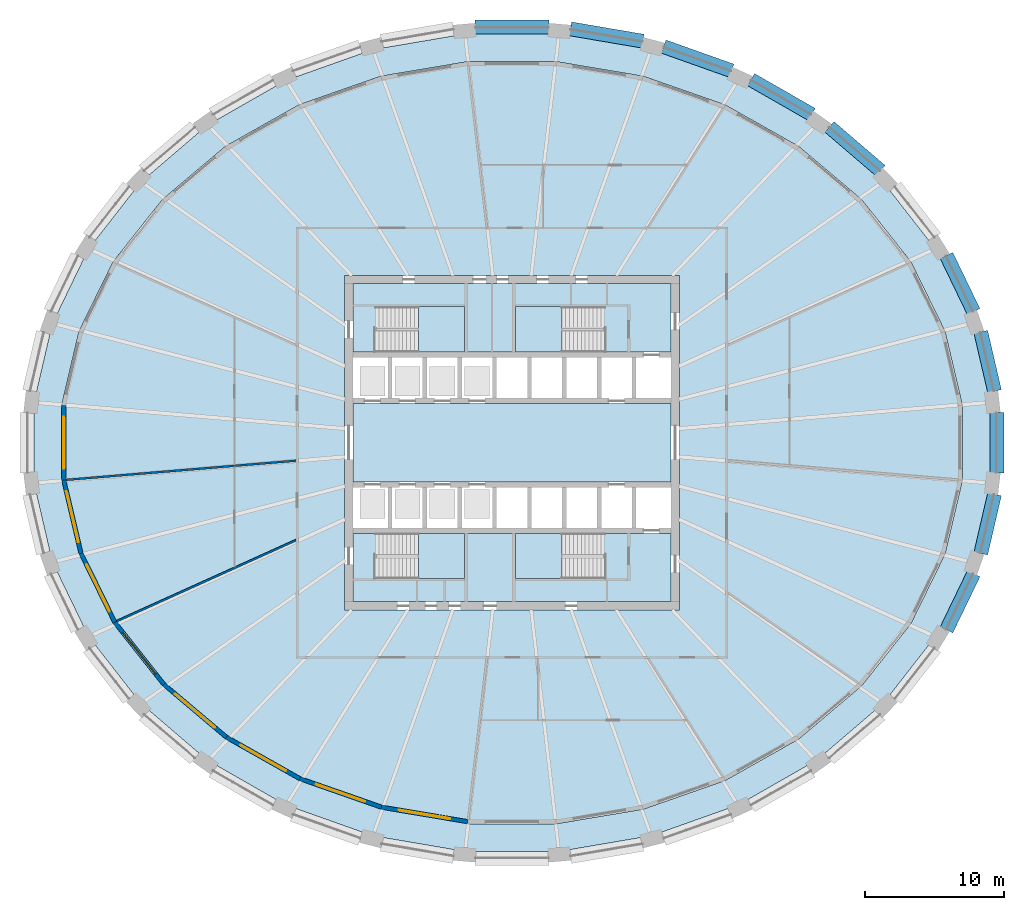
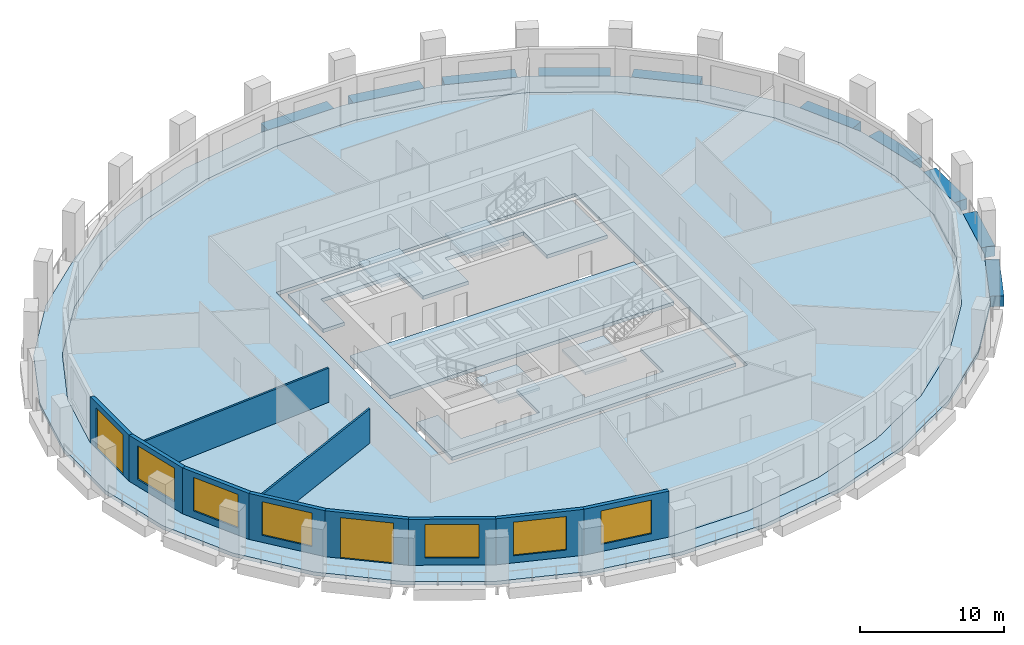
# One storey, part 2 of 10: 10 beams, 10 walls, 9 slabs, 6 windows, 2 doors, 8 openings, 4 elements without a shape of their own.
"""IFC4 building model written with IfcOpenShell, lengths in metres."""

from ifc_helpers import new_model, si_unit, direction, frame, frame_2d, origin, origin_2d, place, context, subcontext, project, spatial, polyline, rectangle, outline, extrude, material, layer, layer_set, material_profile, profile_set, type_object, element, fill, aggregate, save


model = new_model("IFC4")

# Units and contexts
model_context = context("Model", 3, precision=1e-05, world=origin(), true_north=direction((0.0, 1.0)))
body_context = subcontext(model_context, "Body", "Model", "MODEL_VIEW")
ifc_project = project(units=[si_unit("LENGTHUNIT", "METRE"), si_unit("AREAUNIT", "SQUARE_METRE"), si_unit("VOLUMEUNIT", "CUBIC_METRE"), si_unit("PLANEANGLEUNIT", "RADIAN"), si_unit("MASSUNIT", "GRAM", prefix="KILO")], contexts=[model_context])

# Site, building, storey
site_placement = place(None, origin())
site = spatial("IfcSite", under=ifc_project, at=site_placement, CompositionType="ELEMENT")
building_placement = place(site_placement, origin())
building = spatial("IfcBuilding", under=site, at=building_placement, Name="Halqa Exchange Tower", CompositionType="ELEMENT")
storey_placement = place(building_placement, frame((0.0, 0.0, 125.5)))
storey = spatial("IfcBuildingStorey", under=building, at=storey_placement, Name="L28", CompositionType="ELEMENT", Elevation=125.5)

# Beams
ifc_material_1 = material(Name="Concrete C60/75", Category="concrete")
ifc_material_profile = material_profile(ifc_material_1, rectangle(XDim=1.0, YDim=0.89990234375, at=origin_2d()), Name="1000 x 900")
ifc_profile_set = profile_set([ifc_material_profile], Name="Concrete C60/75")
beam_type = type_object("IfcBeamType", Name="RC spandrel beam 1000 x 900 C60/75", PredefinedType="SPANDREL", material=ifc_profile_set)
beam_1_placement = place(storey_placement, frame((34.603515625, 3.693115234375, -0.449951171875), z_axis=(-0.226066118641, 0.974111959686, 0.0), x_axis=(-0.974111959686, -0.226066118641, 0.0)))
element("IfcBeam", 1, at=beam_1_placement, inside=storey, type_object=beam_type, Name="Spandrel 1", PredefinedType="SPANDREL", context=body_context, shape_type="SweptSolid", body=[
    extrude(rectangle(XDim=1.0, YDim=0.89990234375, at=origin_2d()), origin(), (0.0, 0.0, 1.0), 4.358642578125),
])
beam_2_placement = place(storey_placement, frame((33.104248046875, 9.3955078125, -0.449951171875), z_axis=(-0.435117021664, 0.900373909805, 0.0), x_axis=(-0.900373909805, -0.435117021664, 0.0)))
element("IfcBeam", 2, at=beam_2_placement, inside=storey, type_object=beam_type, Name="Spandrel 2", PredefinedType="SPANDREL", context=body_context, shape_type="SweptSolid", body=[
    extrude(rectangle(XDim=1.0, YDim=0.89990234375, at=origin_2d()), origin(), (0.0, 0.0, 1.0), 4.471435546875),
])
beam_3_placement = place(storey_placement, frame((26.426513671875, 19.507568359375, -0.449951171875), z_axis=(-0.759285146525, 0.650758070459, 0.0), x_axis=(-0.650758070459, -0.759285146525, 0.0)))
element("IfcBeam", 3, at=beam_3_placement, inside=storey, type_object=beam_type, Name="Spandrel 4", PredefinedType="SPANDREL", context=body_context, shape_type="SweptSolid", body=[
    extrude(rectangle(XDim=1.0, YDim=0.89990234375, at=origin_2d()), origin(), (0.0, 0.0, 1.0), 4.829833984375),
])
beam_4_placement = place(storey_placement, frame((21.498291015625, 23.540283203125, -0.449951171875), z_axis=(-0.867751350461, 0.496998585283, 0.0), x_axis=(-0.496998585283, -0.867751350461, 0.0)))
element("IfcBeam", 4, at=beam_4_placement, inside=storey, type_object=beam_type, Name="Spandrel 5", PredefinedType="SPANDREL", context=body_context, shape_type="SweptSolid", body=[
    extrude(rectangle(XDim=1.0, YDim=0.89990234375, at=origin_2d()), origin(), (0.0, 0.0, 1.0), 5.014404296875),
])
beam_5_placement = place(storey_placement, frame((15.744140625, 26.677001953125, -0.449951171875), z_axis=(-0.942360462003, 0.334599401754, 0.0), x_axis=(-0.334599401754, -0.942360462003, 0.0)))
element("IfcBeam", 5, at=beam_5_placement, inside=storey, type_object=beam_type, Name="Spandrel 6", PredefinedType="SPANDREL", context=body_context, shape_type="SweptSolid", body=[
    extrude(rectangle(XDim=1.0, YDim=0.89990234375, at=origin_2d()), origin(), (0.0, 0.0, 1.0), 5.166015625),
])
beam_6_placement = place(storey_placement, frame((9.38037109375, 28.79541015625, -0.449951171875), z_axis=(-0.985775606533, 0.168066812797, 0.0), x_axis=(-0.168066812797, -0.985775606533, 0.0)))
element("IfcBeam", 6, at=beam_6_placement, inside=storey, type_object=beam_type, Name="Spandrel 7", PredefinedType="SPANDREL", context=body_context, shape_type="SweptSolid", body=[
    extrude(rectangle(XDim=1.0, YDim=0.89990234375, at=origin_2d()), origin(), (0.0, 0.0, 1.0), 5.265869140625),
])
beam_7_placement = place(storey_placement, frame((2.650634765625, 29.810791015625, -0.449951171875), z_axis=(-1.0, 0.0, 0.0), x_axis=(0.0, -1.0, 0.0)))
element("IfcBeam", 7, at=beam_7_placement, inside=storey, type_object=beam_type, Name="Spandrel 8", PredefinedType="SPANDREL", context=body_context, shape_type="SweptSolid", body=[
    extrude(rectangle(XDim=1.0, YDim=0.89990234375, at=origin_2d()), origin(), (0.0, 0.0, 1.0), 5.30126953125),
])
beam_8_placement = place(storey_placement, frame((31.15869140625, -13.42138671875, -0.449951171875), z_axis=(0.435117021664, 0.900373909805, 0.0), x_axis=(-0.900373909805, 0.435117021664, 0.0)))
element("IfcBeam", 8, at=beam_8_placement, inside=storey, type_object=beam_type, Name="Spandrel 30", PredefinedType="SPANDREL", context=body_context, shape_type="SweptSolid", body=[
    extrude(rectangle(XDim=1.0, YDim=0.89990234375, at=origin_2d()), origin(), (0.0, 0.0, 1.0), 4.471435546875),
])
beam_9_placement = place(storey_placement, frame((33.6181640625, -7.93896484375, -0.449951171875), z_axis=(0.226066118641, 0.974111959686, 0.0), x_axis=(-0.974111959686, 0.226066118641, 0.0)))
element("IfcBeam", 9, at=beam_9_placement, inside=storey, type_object=beam_type, Name="Spandrel 31", PredefinedType="SPANDREL", context=body_context, shape_type="SweptSolid", body=[
    extrude(rectangle(XDim=1.0, YDim=0.89990234375, at=origin_2d()), origin(), (0.0, 0.0, 1.0), 4.358642578125),
])
beam_10_placement = place(storey_placement, frame((34.779052734375, -2.15869140625, -0.449951171875), z_axis=(0.0, 1.0, 0.0), x_axis=(-1.0, 0.0, 0.0)))
element("IfcBeam", 10, at=beam_10_placement, inside=storey, type_object=beam_type, Name="Spandrel 32", PredefinedType="SPANDREL", context=body_context, shape_type="SweptSolid", body=[
    extrude(rectangle(XDim=1.0, YDim=0.89990234375, at=origin_2d()), origin(), (0.0, 0.0, 1.0), 4.3173828125),
])

# Slabs
ifc_layer_1 = layer(ifc_material_1, 0.300048828125)
ifc_layer_set_1 = layer_set([ifc_layer_1], Name="Concrete C60/75")
slab_type_1 = type_object("IfcSlabType", Name="Core floor slab 300", PredefinedType="FLOOR", material=ifc_layer_set_1)
slab_1_placement = place(storey_placement, frame((0.0, 0.0, -0.300048828125)))
element("IfcSlab", 11, at=slab_1_placement, inside=storey, type_object=slab_type_1, Name="Core floor slab", PredefinedType="FLOOR", context=body_context, shape_type="SweptSolid", body=[
    extrude(outline(polyline([(-11.39990234375, 2.800048828125), (11.39990234375, 2.800048828125), (11.39990234375, -2.800048828125), (-11.39990234375, -2.800048828125), (-11.39990234375, 2.800048828125)])), origin(), (0.0, 0.0, 1.0), 0.300048828125),
])
slab_2_placement = place(storey_placement, frame((0.0, 0.0, -0.300048828125)))
element("IfcSlab", 12, at=slab_2_placement, inside=storey, type_object=slab_type_1, Name="Core floor slab", PredefinedType="FLOOR", context=body_context, shape_type="SweptSolid", body=[
    extrude(outline(polyline([(-11.39990234375, 11.39990234375), (11.39990234375, 11.39990234375), (11.39990234375, 6.5), (6.550048828125, 6.5), (6.550048828125, 9.75), (0.25, 9.75), (0.25, 6.5), (-3.39990234375, 6.5), (-3.39990234375, 9.75), (-9.699951171875, 9.75), (-9.699951171875, 6.5), (-11.39990234375, 6.5), (-11.39990234375, 11.39990234375)])), origin(), (0.0, 0.0, 1.0), 0.300048828125),
])
slab_3_placement = place(storey_placement, frame((0.0, 0.0, -0.300048828125)))
element("IfcSlab", 13, at=slab_3_placement, inside=storey, type_object=slab_type_1, Name="Core floor slab", PredefinedType="FLOOR", context=body_context, shape_type="SweptSolid", body=[
    extrude(outline(polyline([(-9.699951171875, -9.75), (-3.39990234375, -9.75), (-3.39990234375, -6.5), (0.25, -6.5), (0.25, -9.75), (6.550048828125, -9.75), (6.550048828125, -6.5), (11.39990234375, -6.5), (11.39990234375, -11.39990234375), (-11.39990234375, -11.39990234375), (-11.39990234375, -6.5), (-9.699951171875, -6.5), (-9.699951171875, -9.75)])), origin(), (0.0, 0.0, 1.0), 0.300048828125),
])
ifc_material_2 = material(Name="Concrete C40/50", Category="concrete")
ifc_layer_2 = layer(ifc_material_2, 0.300048828125)
ifc_layer_set_2 = layer_set([ifc_layer_2], Name="Concrete C40/50")
slab_type_2 = type_object("IfcSlabType", Name="RC floor slab 300", PredefinedType="FLOOR", material=ifc_layer_set_2)
slab_4_placement = place(storey_placement, frame((0.0, 0.0, -0.300048828125)))
element("IfcSlab", 14, at=slab_4_placement, inside=storey, type_object=slab_type_2, Name="Floor slab", PredefinedType="FLOOR", context=body_context, shape_type="SweptSolid", body=[
    extrude(outline(polyline([(32.29248046875, 2.6962890625), (31.04736328125, 7.984375), (28.606689453125, 12.961669921875), (25.06689453125, 17.4365234375), (20.566162109375, 21.23828125), (15.2783203125, 24.222900390625), (9.40673828125, 26.277099609375), (3.176025390625, 27.32421875), (-3.176025390625, 27.32421875), (-9.40673828125, 26.277099609375), (-15.2783203125, 24.222900390625), (-20.566162109375, 21.23828125), (-25.06689453125, 17.4365234375), (-28.606689453125, 12.961669921875), (-31.04736328125, 7.984375), (-32.29248046875, 2.6962890625), (-32.29248046875, -2.6962890625), (-31.04736328125, -7.984375), (-28.606689453125, -12.961669921875), (-25.06689453125, -17.4365234375), (-20.566162109375, -21.23828125), (-15.2783203125, -24.222900390625), (-9.40673828125, -26.277099609375), (-3.176025390625, -27.32421875), (3.176025390625, -27.32421875), (9.40673828125, -26.277099609375), (15.2783203125, -24.222900390625), (20.566162109375, -21.23828125), (25.06689453125, -17.4365234375), (28.606689453125, -12.961669921875), (31.04736328125, -7.984375), (32.29248046875, -2.6962890625), (32.29248046875, 2.6962890625)]), holes=[polyline([(-12.0, -12.0), (12.0, -12.0), (12.0, 12.0), (-12.0, 12.0), (-12.0, -12.0)])]), origin(), (0.0, 0.0, 1.0), 0.300048828125),
])
ifc_layer_3 = layer(ifc_material_2, 0.300048828125)
ifc_layer_set_3 = layer_set([ifc_layer_3], Name="Concrete C40/50")
slab_type_3 = type_object("IfcSlabType", Name="RC loggia slab 300", PredefinedType="FLOOR", material=ifc_layer_set_3)
slab_5_placement = place(storey_placement, frame((0.0, 0.0, -0.300048828125)))
element("IfcSlab", 15, at=slab_5_placement, inside=storey, type_object=slab_type_3, Name="Loggia slab", PredefinedType="FLOOR", context=body_context, shape_type="SweptSolid", body=[
    extrude(outline(polyline([(34.279052734375, 2.87890625), (34.279052734375, -2.87890625), (32.968017578125, -8.528076171875), (30.393798828125, -13.855224609375), (26.651123046875, -18.65625), (21.880859375, -22.7451171875), (16.264404296875, -25.961669921875), (10.01806640625, -28.179443359375), (3.383056640625, -29.310791015625), (-3.383056640625, -29.310791015625), (-10.01806640625, -28.179443359375), (-16.264404296875, -25.961669921875), (-21.880859375, -22.7451171875), (-26.651123046875, -18.65625), (-30.393798828125, -13.855224609375), (-32.968017578125, -8.528076171875), (-34.279052734375, -2.87890625), (-34.279052734375, 2.87890625), (-32.968017578125, 8.528076171875), (-30.393798828125, 13.855224609375), (-26.651123046875, 18.65625), (-21.880859375, 22.7451171875), (-16.264404296875, 25.961669921875), (-10.01806640625, 28.179443359375), (-3.383056640625, 29.310791015625), (3.383056640625, 29.310791015625), (10.01806640625, 28.179443359375), (16.264404296875, 25.961669921875), (21.880859375, 22.7451171875), (26.651123046875, 18.65625), (30.393798828125, 13.855224609375), (32.968017578125, 8.528076171875), (34.279052734375, 2.87890625)]), holes=[polyline([(32.29248046875, 2.6962890625), (31.04736328125, 7.984375), (28.606689453125, 12.961669921875), (25.06689453125, 17.4365234375), (20.566162109375, 21.23828125), (15.2783203125, 24.222900390625), (9.40673828125, 26.277099609375), (3.176025390625, 27.32421875), (-3.176025390625, 27.32421875), (-9.40673828125, 26.277099609375), (-15.2783203125, 24.222900390625), (-20.566162109375, 21.23828125), (-25.06689453125, 17.4365234375), (-28.606689453125, 12.961669921875), (-31.04736328125, 7.984375), (-32.29248046875, 2.6962890625), (-32.29248046875, -2.6962890625), (-31.04736328125, -7.984375), (-28.606689453125, -12.961669921875), (-25.06689453125, -17.4365234375), (-20.566162109375, -21.23828125), (-15.2783203125, -24.222900390625), (-9.40673828125, -26.277099609375), (-3.176025390625, -27.32421875), (3.176025390625, -27.32421875), (9.40673828125, -26.277099609375), (15.2783203125, -24.222900390625), (20.566162109375, -21.23828125), (25.06689453125, -17.4365234375), (28.606689453125, -12.961669921875), (31.04736328125, -7.984375), (32.29248046875, -2.6962890625), (32.29248046875, 2.6962890625)])]), origin(), (0.0, 0.0, 1.0), 0.300048828125),
])

# Stair, slab
ifc_material_3 = material(Name="Concrete C30/37", Category="concrete")
stair_type = type_object("IfcStairType", Name="Exit stair 1500 wide", PredefinedType="HALF_TURN_STAIR", material=ifc_material_3)
stair_1_placement = place(storey_placement, origin())
stair_1 = element("IfcStair", 16, at=stair_1_placement, inside=storey, type_object=stair_type, Name="Exit stair ST1", PredefinedType="HALF_TURN_STAIR")
ifc_layer_4 = layer(ifc_material_3, 0.199951171875)
ifc_layer_set_4 = layer_set([ifc_layer_4], Name="Concrete C30/37")
slab_type_4 = type_object("IfcSlabType", Name="Stair landing 200 slab", PredefinedType="LANDING", material=ifc_layer_set_4)
slab_6_placement = place(storey_placement, frame((0.0, 0.0, 1.89990234375)))
slab_6 = element("IfcSlab", 17, at=slab_6_placement, type_object=slab_type_4, Name="ST1 landing 1", PredefinedType="LANDING", context=body_context, shape_type="SweptSolid", body=[
    extrude(outline(polyline([(-6.719970703125, 6.5), (-3.39990234375, 6.5), (-3.39990234375, 9.75), (-6.719970703125, 9.75), (-6.719970703125, 6.5)])), origin(), (0.0, 0.0, 1.0), 0.2001953125),
])
aggregate(stair_1, [slab_6])

stair_2_placement = place(storey_placement, origin())
stair_2 = element("IfcStair", 18, at=stair_2_placement, inside=storey, type_object=stair_type, Name="Exit stair ST2", PredefinedType="HALF_TURN_STAIR")
slab_7_placement = place(storey_placement, frame((0.0, 0.0, 1.89990234375)))
slab_7 = element("IfcSlab", 19, at=slab_7_placement, type_object=slab_type_4, Name="ST2 landing 1", PredefinedType="LANDING", context=body_context, shape_type="SweptSolid", body=[
    extrude(outline(polyline([(0.25, 6.5), (3.570068359375, 6.5), (3.570068359375, 9.75), (0.25, 9.75), (0.25, 6.5)])), origin(), (0.0, 0.0, 1.0), 0.2001953125),
])
aggregate(stair_2, [slab_7])

stair_3_placement = place(storey_placement, origin())
stair_3 = element("IfcStair", 20, at=stair_3_placement, inside=storey, type_object=stair_type, Name="Exit stair ST3", PredefinedType="HALF_TURN_STAIR")
slab_8_placement = place(storey_placement, frame((0.0, 0.0, 1.89990234375)))
slab_8 = element("IfcSlab", 21, at=slab_8_placement, type_object=slab_type_4, Name="ST3 landing 1", PredefinedType="LANDING", context=body_context, shape_type="SweptSolid", body=[
    extrude(outline(polyline([(-6.719970703125, -9.75), (-3.39990234375, -9.75), (-3.39990234375, -6.5), (-6.719970703125, -6.5), (-6.719970703125, -9.75)])), origin(), (0.0, 0.0, 1.0), 0.2001953125),
])
aggregate(stair_3, [slab_8])

stair_4_placement = place(storey_placement, origin())
stair_4 = element("IfcStair", 22, at=stair_4_placement, inside=storey, type_object=stair_type, Name="Exit stair ST4", PredefinedType="HALF_TURN_STAIR")
slab_9_placement = place(storey_placement, frame((0.0, 0.0, 1.89990234375)))
slab_9 = element("IfcSlab", 23, at=slab_9_placement, type_object=slab_type_4, Name="ST4 landing 1", PredefinedType="LANDING", context=body_context, shape_type="SweptSolid", body=[
    extrude(outline(polyline([(0.25, -9.75), (3.570068359375, -9.75), (3.570068359375, -6.5), (0.25, -6.5), (0.25, -9.75)])), origin(), (0.0, 0.0, 1.0), 0.2001953125),
])
aggregate(stair_4, [slab_9])

# Walls
ifc_material_4 = material(Name="Fire-rated gypsum board")
ifc_layer_5 = layer(ifc_material_4, 0.14990234375)
ifc_layer_set_5 = layer_set([ifc_layer_5], Name="Fire-rated gypsum board")
wall_type_1 = type_object("IfcWallType", Name="Fire partition EI 60 150", PredefinedType="PARTITIONING", material=ifc_layer_set_5)
wall_1_placement = place(storey_placement, frame((-31.986328125, -2.664794921875, 0.0), z_axis=(0.0, 0.0, 1.0), x_axis=(0.996533353756, 0.083194199634, 0.0)))
element("IfcWall", 24, at=wall_1_placement, inside=storey, type_object=wall_type_1, Name="L28-PWL-001", PredefinedType="PARTITIONING", context=body_context, shape_type="SweptSolid", body=[
    extrude(outline(polyline([(0.005615234375, -0.074951171875), (1.7294921875, -0.074951171875), (3.453125, -0.074951171875), (5.177001953125, -0.074951171875), (6.900634765625, -0.074951171875), (8.62451171875, -0.074951171875), (10.34814453125, -0.074951171875), (12.072021484375, -0.074951171875), (12.072021484375, -0.07470703125), (12.073974609375, -0.074951171875), (13.570068359375, -0.074951171875), (15.06640625, -0.074951171875), (16.5625, -0.074951171875), (16.574462890625, 0.068359375), (16.574462890625, 0.074951171875), (15.111328125, 0.074951171875), (13.64794921875, 0.074951171875), (12.184814453125, 0.074951171875), (12.184814453125, 0.073974609375), (12.171630859375, 0.074951171875), (10.432861328125, 0.074951171875), (8.694091796875, 0.074951171875), (6.955078125, 0.074951171875), (5.21630859375, 0.074951171875), (3.4775390625, 0.074951171875), (1.73876953125, 0.074951171875), (0.0, 0.074951171875), (0.0, -0.036376953125), (0.005615234375, -0.074951171875)])), origin(), (0.0, 0.0, 1.0), 2.909912109375),
])
wall_2_placement = place(storey_placement, frame((-28.352294921875, -12.804443359375, 0.0), z_axis=(0.0, 0.0, 1.0), x_axis=(0.911239169411, 0.41187762276, 0.0)))
element("IfcWall", 25, at=wall_2_placement, inside=storey, type_object=wall_type_1, Name="L28-PWL-003", PredefinedType="PARTITIONING", context=body_context, shape_type="SweptSolid", body=[
    extrude(outline(polyline([(0.021728515625, -0.074951171875), (1.78125, -0.074951171875), (3.540771484375, -0.074951171875), (5.30029296875, -0.074951171875), (7.059814453125, -0.074951171875), (8.8193359375, -0.074951171875), (10.578857421875, -0.074951171875), (12.338134765625, -0.074951171875), (14.09765625, -0.074951171875), (14.16552734375, 0.074951171875), (12.565185546875, 0.074951171875), (10.96484375, 0.074951171875), (9.3642578125, 0.074951171875), (9.364013671875, 0.07421875), (9.3623046875, 0.074951171875), (7.489990234375, 0.074951171875), (5.617431640625, 0.074951171875), (3.744873046875, 0.074951171875), (1.87255859375, 0.074951171875), (0.0, 0.074951171875), (0.0, 0.07421875), (0.002197265625, 0.003173828125), (0.021728515625, -0.074951171875)])), origin(), (0.0, 0.0, 1.0), 2.909912109375),
])

# Wall, opening, door
ifc_material_5 = material(Name="Limestone cladding", Category="masonry")
ifc_layer_6 = layer(ifc_material_5, 0.0400390625)
ifc_material_6 = material(Name="Ventilated cavity")
ifc_layer_7 = layer(ifc_material_6, 0.030029296875, ventilated=True)
ifc_material_7 = material(Name="Mineral wool insulation")
ifc_layer_8 = layer(ifc_material_7, 0.10009765625)
ifc_layer_9 = layer(ifc_material_3, 0.10009765625)
ifc_material_8 = material(Name="Internal plaster")
ifc_layer_10 = layer(ifc_material_8, 0.030029296875)
ifc_layer_set_6 = layer_set([ifc_layer_6, ifc_layer_7, ifc_layer_8, ifc_layer_9, ifc_layer_10], Name="Stone-faced insulated wall 300")
wall_type_2 = type_object("IfcWallType", Name="Stone-faced insulated wall 300", PredefinedType="STANDARD", material=ifc_layer_set_6)
wall_3_placement = place(storey_placement, frame((-32.142578125, 2.678955078125, 0.0), z_axis=(0.0, 0.0, 1.0), x_axis=(0.0, -1.0, 0.0)))
wall_3 = element("IfcWall", 26, at=wall_3_placement, inside=storey, type_object=wall_type_2, Name="Glass-line wall 16", PredefinedType="STANDARD", context=body_context, shape_type="SweptSolid", body=[
    extrude(outline(polyline([(-0.017333984375, -0.14990234375), (5.375244140625, -0.14990234375), (5.340576171875, 0.14990234375), (0.017333984375, 0.14990234375), (-0.017333984375, -0.14990234375)])), origin(), (0.0, 0.0, 1.0), 3.89990234375),
])
opening_1_placement = place(wall_3_placement, frame((0.803955078125, 0.0, 0.0)))
opening_1 = element("IfcOpeningElement", 27, at=opening_1_placement, cuts=wall_3, Name="Opening LG-F2-04", PredefinedType="OPENING", context=body_context, shape_type="SweptSolid", body=[
    extrude(rectangle(XDim=3.75, YDim=3.449951171875, at=frame_2d((1.875, 1.72509765625))), frame((0.0, 0.162109375, 0.0), z_axis=(0.0, -1.0, 0.0), x_axis=(1.0, 0.0, 0.0)), (0.0, 0.0, 1.0), 0.323974609375),
])
ifc_material_9 = material(Name="Clear low-emissivity glass in aluminium frame", Category="aluminium")
door_type = type_object("IfcDoorType", Name="Glazed sliding loggia door 3750 x 3450", OperationType="DOUBLE_DOOR_SLIDING", PredefinedType="DOOR", material=ifc_material_9)
door_1_placement = place(opening_1_placement, origin())
door_1 = element("IfcDoor", 28, at=door_1_placement, inside=storey, type_object=door_type, Name="Loggia door 4", OperationType="DOUBLE_DOOR_SLIDING", OverallHeight=3.449951171875, OverallWidth=3.75, PredefinedType="DOOR", context=body_context, shape_type="SweptSolid", body=[
    extrude(rectangle(XDim=3.75, YDim=3.449951171875, at=frame_2d((1.875, 1.72509765625))), frame((0.0, 0.02490234375, 0.0), z_axis=(0.0, -1.0, 0.0), x_axis=(1.0, 0.0, 0.0)), (0.0, 0.0, 1.0), 0.050048828125),
])
fill(opening_1, door_1)

# Wall, opening, window
wall_4_placement = place(storey_placement, frame((-32.142578125, -2.678955078125, 0.0), z_axis=(0.0, 0.0, 1.0), x_axis=(0.229200658045, -0.973379195561, 0.0)))
wall_4 = element("IfcWall", 29, at=wall_4_placement, inside=storey, type_object=wall_type_2, Name="Glass-line wall 17", PredefinedType="STANDARD", context=body_context, shape_type="SweptSolid", body=[
    extrude(outline(polyline([(-0.017333984375, -0.14990234375), (5.415283203125, -0.14990234375), (5.381591796875, 0.14990234375), (0.017333984375, 0.14990234375), (-0.017333984375, -0.14990234375)])), origin(), (0.0, 0.0, 1.0), 3.89990234375),
])
opening_2_placement = place(wall_4_placement, frame((0.82421875, 0.0, 0.60009765625)))
opening_2 = element("IfcOpeningElement", 30, at=opening_2_placement, cuts=wall_4, Name="Opening W-F2-17", PredefinedType="OPENING", context=body_context, shape_type="SweptSolid", body=[
    extrude(rectangle(XDim=3.75, YDim=2.85009765625, at=frame_2d((1.875, 1.425048828125))), frame((0.0, 0.162109375, 0.0), z_axis=(0.0, -1.0, 0.0), x_axis=(1.0, 0.0, 0.0)), (0.0, 0.0, 1.0), 0.323974609375),
])
window_type = type_object("IfcWindowType", Name="Fixed clear glazed window 3750 x 2850", PartitioningType="TRIPLE_PANEL_VERTICAL", PredefinedType="WINDOW", material=ifc_material_9)
window_1_placement = place(opening_2_placement, origin())
window_1 = element("IfcWindow", 31, at=window_1_placement, inside=storey, type_object=window_type, Name="Window 2", OverallHeight=2.85009765625, OverallWidth=3.75, PartitioningType="TRIPLE_PANEL_VERTICAL", PredefinedType="WINDOW", context=body_context, shape_type="SweptSolid", body=[
    extrude(rectangle(XDim=3.75, YDim=2.85009765625, at=frame_2d((1.875, 1.425048828125))), frame((0.0, 0.030029296875, 0.0), z_axis=(0.0, -1.0, 0.0), x_axis=(1.0, 0.0, 0.0)), (0.0, 0.0, 1.0), 0.06005859375),
])
fill(opening_2, window_1)

wall_5_placement = place(storey_placement, frame((-30.9052734375, -7.93359375, 0.0), z_axis=(0.0, 0.0, 1.0), x_axis=(0.440306401535, -0.897847577692, 0.0)))
wall_5 = element("IfcWall", 32, at=wall_5_placement, inside=storey, type_object=wall_type_2, Name="Glass-line wall 18", PredefinedType="STANDARD", context=body_context, shape_type="SweptSolid", body=[
    extrude(outline(polyline([(-0.016845703125, -0.14990234375), (5.526611328125, -0.14990234375), (5.494384765625, 0.14990234375), (0.016845703125, 0.14990234375), (-0.016845703125, -0.14990234375)])), origin(), (0.0, 0.0, 1.0), 3.89990234375),
])
opening_3_placement = place(wall_5_placement, frame((0.880126953125, 0.0, 0.60009765625)))
opening_3 = element("IfcOpeningElement", 33, at=opening_3_placement, cuts=wall_5, Name="Opening W-F2-18", PredefinedType="OPENING", context=body_context, shape_type="SweptSolid", body=[
    extrude(rectangle(XDim=3.75, YDim=2.85009765625, at=frame_2d((1.875, 1.425048828125))), frame((0.0, 0.162109375, 0.0), z_axis=(0.0, -1.0, 0.0), x_axis=(1.0, 0.0, 0.0)), (0.0, 0.0, 1.0), 0.323974609375),
])
window_2_placement = place(opening_3_placement, origin())
window_2 = element("IfcWindow", 34, at=window_2_placement, inside=storey, type_object=window_type, Name="Window 2", OverallHeight=2.85009765625, OverallWidth=3.75, PartitioningType="TRIPLE_PANEL_VERTICAL", PredefinedType="WINDOW", context=body_context, shape_type="SweptSolid", body=[
    extrude(rectangle(XDim=3.75, YDim=2.85009765625, at=frame_2d((1.875, 1.425048828125))), frame((0.0, 0.030029296875, 0.0), z_axis=(0.0, -1.0, 0.0), x_axis=(1.0, 0.0, 0.0)), (0.0, 0.0, 1.0), 0.06005859375),
])
fill(opening_3, window_2)

wall_6_placement = place(storey_placement, frame((-28.47900390625, -12.881103515625, 0.0), z_axis=(0.0, 0.0, 1.0), x_axis=(0.62038332391, -0.784298751379, 0.0)))
wall_6 = element("IfcWall", 35, at=wall_6_placement, inside=storey, type_object=wall_type_2, Name="Glass-line wall 19", PredefinedType="STANDARD", context=body_context, shape_type="SweptSolid", body=[
    extrude(outline(polyline([(-0.01611328125, -0.14990234375), (5.68994140625, -0.14990234375), (5.65966796875, 0.14990234375), (0.01611328125, 0.14990234375), (-0.01611328125, -0.14990234375)])), origin(), (0.0, 0.0, 1.0), 3.89990234375),
])
opening_4_placement = place(wall_6_placement, frame((0.96240234375, 0.0, 0.60009765625)))
opening_4 = element("IfcOpeningElement", 36, at=opening_4_placement, cuts=wall_6, Name="Opening W-F2-19", PredefinedType="OPENING", context=body_context, shape_type="SweptSolid", body=[
    extrude(rectangle(XDim=3.75, YDim=2.85009765625, at=frame_2d((1.875, 1.425048828125))), frame((0.0, 0.162109375, 0.0), z_axis=(0.0, -1.0, 0.0), x_axis=(1.0, 0.0, 0.0)), (0.0, 0.0, 1.0), 0.323974609375),
])
window_3_placement = place(opening_4_placement, origin())
window_3 = element("IfcWindow", 37, at=window_3_placement, inside=storey, type_object=window_type, Name="Window 2", OverallHeight=2.85009765625, OverallWidth=3.75, PartitioningType="TRIPLE_PANEL_VERTICAL", PredefinedType="WINDOW", context=body_context, shape_type="SweptSolid", body=[
    extrude(rectangle(XDim=3.75, YDim=2.85009765625, at=frame_2d((1.875, 1.425048828125))), frame((0.0, 0.030029296875, 0.0), z_axis=(0.0, -1.0, 0.0), x_axis=(1.0, 0.0, 0.0)), (0.0, 0.0, 1.0), 0.06005859375),
])
fill(opening_4, window_3)

# Wall, opening, door
wall_7_placement = place(storey_placement, frame((-24.95849609375, -17.331787109375, 0.0), z_axis=(0.0, 0.0, 1.0), x_axis=(0.763937302001, -0.645290476151, 0.0)))
wall_7 = element("IfcWall", 38, at=wall_7_placement, inside=storey, type_object=wall_type_2, Name="Glass-line wall 20", PredefinedType="STANDARD", context=body_context, shape_type="SweptSolid", body=[
    extrude(outline(polyline([(-0.01513671875, -0.14990234375), (5.87646484375, -0.14990234375), (5.84814453125, 0.14990234375), (0.01513671875, 0.14990234375), (-0.01513671875, -0.14990234375)])), origin(), (0.0, 0.0, 1.0), 3.89990234375),
])
opening_5_placement = place(wall_7_placement, frame((1.05615234375, 0.0, 0.0)))
opening_5 = element("IfcOpeningElement", 39, at=opening_5_placement, cuts=wall_7, Name="Opening LG-F2-05", PredefinedType="OPENING", context=body_context, shape_type="SweptSolid", body=[
    extrude(rectangle(XDim=3.75, YDim=3.449951171875, at=frame_2d((1.875, 1.72509765625))), frame((0.0, 0.162109375, 0.0), z_axis=(0.0, -1.0, 0.0), x_axis=(1.0, 0.0, 0.0)), (0.0, 0.0, 1.0), 0.323974609375),
])
door_2_placement = place(opening_5_placement, origin())
door_2 = element("IfcDoor", 40, at=door_2_placement, inside=storey, type_object=door_type, Name="Loggia door 5", OperationType="DOUBLE_DOOR_SLIDING", OverallHeight=3.449951171875, OverallWidth=3.75, PredefinedType="DOOR", context=body_context, shape_type="SweptSolid", body=[
    extrude(rectangle(XDim=3.75, YDim=3.449951171875, at=frame_2d((1.875, 1.72509765625))), frame((0.0, 0.02490234375, 0.0), z_axis=(0.0, -1.0, 0.0), x_axis=(1.0, 0.0, 0.0)), (0.0, 0.0, 1.0), 0.050048828125),
])
fill(opening_5, door_2)

# Wall, opening, window
wall_8_placement = place(storey_placement, frame((-20.47998046875, -21.11474609375, 0.0), z_axis=(0.0, 0.0, 1.0), x_axis=(0.870858332497, -0.491534093142, 0.0)))
wall_8 = element("IfcWall", 41, at=wall_8_placement, inside=storey, type_object=wall_type_2, Name="Glass-line wall 21", PredefinedType="STANDARD", context=body_context, shape_type="SweptSolid", body=[
    extrude(outline(polyline([(-0.01416015625, -0.14990234375), (6.0576171875, -0.14990234375), (6.03076171875, 0.14990234375), (0.01416015625, 0.14990234375), (-0.01416015625, -0.14990234375)])), origin(), (0.0, 0.0, 1.0), 3.89990234375),
])
opening_6_placement = place(wall_8_placement, frame((1.147216796875, 0.0, 0.60009765625)))
opening_6 = element("IfcOpeningElement", 42, at=opening_6_placement, cuts=wall_8, Name="Opening W-F2-21", PredefinedType="OPENING", context=body_context, shape_type="SweptSolid", body=[
    extrude(rectangle(XDim=3.75, YDim=2.85009765625, at=frame_2d((1.875, 1.425048828125))), frame((0.0, 0.162109375, 0.0), z_axis=(0.0, -1.0, 0.0), x_axis=(1.0, 0.0, 0.0)), (0.0, 0.0, 1.0), 0.323974609375),
])
window_4_placement = place(opening_6_placement, origin())
window_4 = element("IfcWindow", 43, at=window_4_placement, inside=storey, type_object=window_type, Name="Window 2", OverallHeight=2.85009765625, OverallWidth=3.75, PartitioningType="TRIPLE_PANEL_VERTICAL", PredefinedType="WINDOW", context=body_context, shape_type="SweptSolid", body=[
    extrude(rectangle(XDim=3.75, YDim=2.85009765625, at=frame_2d((1.875, 1.425048828125))), frame((0.0, 0.030029296875, 0.0), z_axis=(0.0, -1.0, 0.0), x_axis=(1.0, 0.0, 0.0)), (0.0, 0.0, 1.0), 0.06005859375),
])
fill(opening_6, window_4)

wall_9_placement = place(storey_placement, frame((-15.21630859375, -24.085693359375, 0.0), z_axis=(0.0, 0.0, 1.0), x_axis=(0.94389706045, -0.330239820849, 0.0)))
wall_9 = element("IfcWall", 44, at=wall_9_placement, inside=storey, type_object=wall_type_2, Name="Glass-line wall 22", PredefinedType="STANDARD", context=body_context, shape_type="SweptSolid", body=[
    extrude(outline(polyline([(-0.013427734375, -0.14990234375), (6.20703125, -0.14990234375), (6.181640625, 0.14990234375), (0.013427734375, 0.14990234375), (-0.013427734375, -0.14990234375)])), origin(), (0.0, 0.0, 1.0), 3.89990234375),
])
opening_7_placement = place(wall_9_placement, frame((1.22216796875, 0.0, 0.60009765625)))
opening_7 = element("IfcOpeningElement", 45, at=opening_7_placement, cuts=wall_9, Name="Opening W-F2-22", PredefinedType="OPENING", context=body_context, shape_type="SweptSolid", body=[
    extrude(rectangle(XDim=3.75, YDim=2.85009765625, at=frame_2d((1.875, 1.425048828125))), frame((0.0, 0.162109375, 0.0), z_axis=(0.0, -1.0, 0.0), x_axis=(1.0, 0.0, 0.0)), (0.0, 0.0, 1.0), 0.323974609375),
])
window_5_placement = place(opening_7_placement, origin())
window_5 = element("IfcWindow", 46, at=window_5_placement, inside=storey, type_object=window_type, Name="Window 2", OverallHeight=2.85009765625, OverallWidth=3.75, PartitioningType="TRIPLE_PANEL_VERTICAL", PredefinedType="WINDOW", context=body_context, shape_type="SweptSolid", body=[
    extrude(rectangle(XDim=3.75, YDim=2.85009765625, at=frame_2d((1.875, 1.425048828125))), frame((0.0, 0.030029296875, 0.0), z_axis=(0.0, -1.0, 0.0), x_axis=(1.0, 0.0, 0.0)), (0.0, 0.0, 1.0), 0.06005859375),
])
fill(opening_7, window_5)

wall_10_placement = place(storey_placement, frame((-9.369384765625, -26.13134765625, 0.0), z_axis=(0.0, 0.0, 1.0), x_axis=(0.986176011722, -0.165701158427, 0.0)))
wall_10 = element("IfcWall", 47, at=wall_10_placement, inside=storey, type_object=wall_type_2, Name="Glass-line wall 23", PredefinedType="STANDARD", context=body_context, shape_type="SweptSolid", body=[
    extrude(outline(polyline([(-0.0126953125, -0.14990234375), (6.30517578125, -0.14990234375), (6.2802734375, 0.14990234375), (0.0126953125, 0.14990234375), (-0.0126953125, -0.14990234375)])), origin(), (0.0, 0.0, 1.0), 3.89990234375),
])
opening_8_placement = place(wall_10_placement, frame((1.271484375, 0.0, 0.60009765625)))
opening_8 = element("IfcOpeningElement", 48, at=opening_8_placement, cuts=wall_10, Name="Opening W-F2-23", PredefinedType="OPENING", context=body_context, shape_type="SweptSolid", body=[
    extrude(rectangle(XDim=3.75, YDim=2.85009765625, at=frame_2d((1.875, 1.425048828125))), frame((0.0, 0.162109375, 0.0), z_axis=(0.0, -1.0, 0.0), x_axis=(1.0, 0.0, 0.0)), (0.0, 0.0, 1.0), 0.323974609375),
])
window_6_placement = place(opening_8_placement, origin())
window_6 = element("IfcWindow", 49, at=window_6_placement, inside=storey, type_object=window_type, Name="Window 2", OverallHeight=2.85009765625, OverallWidth=3.75, PartitioningType="TRIPLE_PANEL_VERTICAL", PredefinedType="WINDOW", context=body_context, shape_type="SweptSolid", body=[
    extrude(rectangle(XDim=3.75, YDim=2.85009765625, at=frame_2d((1.875, 1.425048828125))), frame((0.0, 0.030029296875, 0.0), z_axis=(0.0, -1.0, 0.0), x_axis=(1.0, 0.0, 0.0)), (0.0, 0.0, 1.0), 0.06005859375),
])
fill(opening_8, window_6)

save(model, "model.ifc")
